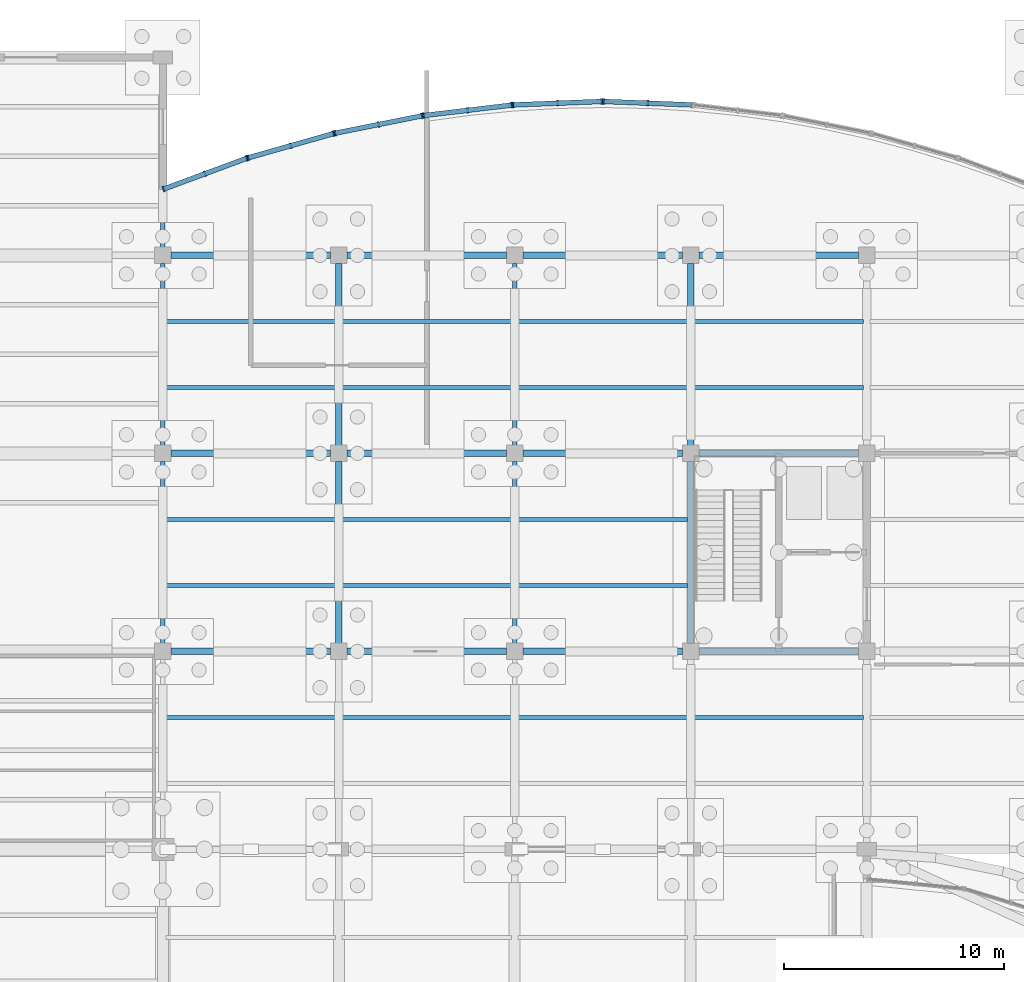
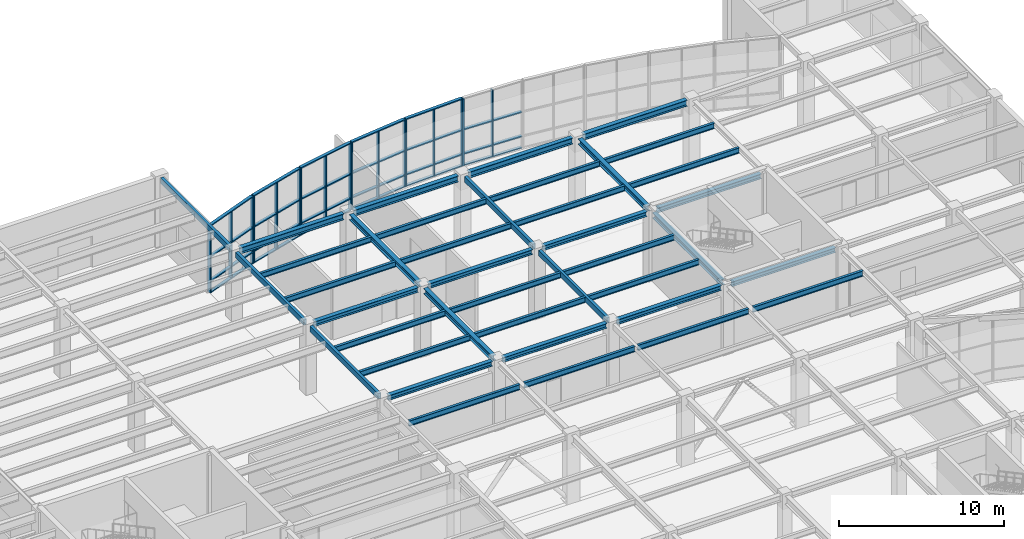
# One storey, part 49 of 85: 40 members, 39 beams, 6 elements without a shape of their own.
"""IFC4 building model written with IfcOpenShell, lengths in metres."""

from ifc_helpers import new_model, si_unit, direction, frame, origin, origin_2d, place, context, subcontext, project, spatial, rectangle, hollow_rectangle, i_section, extrude, material, layer, layer_set, material_profile, profile_set, type_object, element, aggregate, save


model = new_model("IFC4")

# Units and contexts
model_context = context("Model", 3, precision=1e-05, world=origin(), true_north=direction((0.0, 1.0)))
body_context = subcontext(model_context, "Body", "Model", "MODEL_VIEW")
ifc_project = project(units=[si_unit("LENGTHUNIT", "METRE"), si_unit("AREAUNIT", "SQUARE_METRE"), si_unit("VOLUMEUNIT", "CUBIC_METRE"), si_unit("PLANEANGLEUNIT", "RADIAN"), si_unit("MASSUNIT", "GRAM", prefix="KILO")], contexts=[model_context])

# Site, building, storey
site_placement = place(None, origin())
site = spatial("IfcSite", under=ifc_project, at=site_placement, CompositionType="ELEMENT")
building_placement = place(site_placement, origin())
building = spatial("IfcBuilding", under=site, at=building_placement, Name="Keelwater Ferry Terminal", CompositionType="ELEMENT")
storey_placement = place(building_placement, origin())
storey = spatial("IfcBuildingStorey", under=building, at=storey_placement, Name="L00", CompositionType="ELEMENT", Elevation=0.0)

# Curtain wall, members
ifc_material_1 = material(Name="Thermally broken unitised aluminium and triple glass", Category="aluminium")
ifc_layer = layer(ifc_material_1, 0.179931640625)
ifc_layer_set = layer_set([ifc_layer], Name="Thermally broken unitised aluminium and triple glass")
curtain_wall_type = type_object("IfcCurtainWallType", Name="CW-20 Unitised Curtain Wall 4015x4950", PredefinedType="USERDEFINED", material=ifc_layer_set)
curtain_wall_1_placement = place(storey_placement, origin())
curtain_wall_1 = element("IfcCurtainWall", 1, at=curtain_wall_1_placement, inside=storey, type_object=curtain_wall_type, Name="Unitised Curtain Wall CW-L00-177", ObjectType="UNITISED CURTAIN WALL", PredefinedType="USERDEFINED")
ifc_material_2 = material(Name="Aluminium mullion", Category="aluminium")
ifc_material_profile_1 = material_profile(ifc_material_2, rectangle(XDim=0.080078125, YDim=0.25, at=origin_2d()), Name="CWM-04")
ifc_profile_set_1 = profile_set([ifc_material_profile_1], Name="Aluminium mullion")
member_type_1 = type_object("IfcMemberType", Name="CWM-04 Curtain Mullion 80x250", PredefinedType="MULLION", material=ifc_profile_set_1)
member_1_placement = place(storey_placement, frame((154.051025390625, 123.9189453125, 0.0), z_axis=(0.0, 0.0, 1.0), x_axis=(-0.999225435626, 0.039351350652, 0.0)))
member_1 = element("IfcMember", 2, at=member_1_placement, type_object=member_type_1, Name="CW-L00-177 Mullion 2", PredefinedType="MULLION", context=body_context, shape_type="SweptSolid", body=[
    extrude(rectangle(XDim=0.080078125, YDim=0.25, at=origin_2d()), origin(), (0.0, 0.0, 1.0), 4.949951171875),
])
member_2_placement = place(storey_placement, frame((152.044921875, 123.998046875, 0.0), z_axis=(0.0, 0.0, 1.0), x_axis=(-0.999225435626, 0.039351350652, 0.0)))
member_2 = element("IfcMember", 3, at=member_2_placement, type_object=member_type_1, Name="CW-L00-177 Mullion 3", PredefinedType="MULLION", context=body_context, shape_type="SweptSolid", body=[
    extrude(rectangle(XDim=0.080078125, YDim=0.25, at=origin_2d()), origin(), (0.0, 0.0, 1.0), 4.949951171875),
])

curtain_wall_2_placement = place(storey_placement, origin())
curtain_wall_2 = element("IfcCurtainWall", 4, at=curtain_wall_2_placement, inside=storey, type_object=curtain_wall_type, Name="Unitised Curtain Wall CW-L00-178", ObjectType="UNITISED CURTAIN WALL", PredefinedType="USERDEFINED")
member_3_placement = place(storey_placement, frame((151.955078125, 123.998046875, 0.0), z_axis=(0.0, 0.0, 1.0), x_axis=(-0.999225435626, -0.039351350652, 0.0)))
member_3 = element("IfcMember", 5, at=member_3_placement, type_object=member_type_1, Name="CW-L00-178 Mullion 1", PredefinedType="MULLION", context=body_context, shape_type="SweptSolid", body=[
    extrude(rectangle(XDim=0.080078125, YDim=0.25, at=origin_2d()), origin(), (0.0, 0.0, 1.0), 4.949951171875),
])
member_4_placement = place(storey_placement, frame((149.948974609375, 123.9189453125, 0.0), z_axis=(0.0, 0.0, 1.0), x_axis=(-0.999225435626, -0.039351350652, 0.0)))
member_4 = element("IfcMember", 6, at=member_4_placement, type_object=member_type_1, Name="CW-L00-178 Mullion 2", PredefinedType="MULLION", context=body_context, shape_type="SweptSolid", body=[
    extrude(rectangle(XDim=0.080078125, YDim=0.25, at=origin_2d()), origin(), (0.0, 0.0, 1.0), 4.949951171875),
])
member_5_placement = place(storey_placement, frame((147.943115234375, 123.840087890625, 0.0), z_axis=(0.0, 0.0, 1.0), x_axis=(-0.999225435626, -0.039351350652, 0.0)))
member_5 = element("IfcMember", 7, at=member_5_placement, type_object=member_type_1, Name="CW-L00-178 Mullion 3", PredefinedType="MULLION", context=body_context, shape_type="SweptSolid", body=[
    extrude(rectangle(XDim=0.080078125, YDim=0.25, at=origin_2d()), origin(), (0.0, 0.0, 1.0), 4.949951171875),
])

curtain_wall_3_placement = place(storey_placement, origin())
curtain_wall_3 = element("IfcCurtainWall", 8, at=curtain_wall_3_placement, inside=storey, type_object=curtain_wall_type, Name="Unitised Curtain Wall CW-L00-179", ObjectType="UNITISED CURTAIN WALL", PredefinedType="USERDEFINED")
member_6_placement = place(storey_placement, frame((147.85302734375, 123.8330078125, 0.0), z_axis=(0.0, 0.0, 1.0), x_axis=(-0.992974342459, -0.118329857676, 0.0)))
member_6 = element("IfcMember", 9, at=member_6_placement, type_object=member_type_1, Name="CW-L00-179 Mullion 1", PredefinedType="MULLION", context=body_context, shape_type="SweptSolid", body=[
    extrude(rectangle(XDim=0.080078125, YDim=0.25, at=origin_2d()), origin(), (0.0, 0.0, 1.0), 4.949951171875),
])
member_7_placement = place(storey_placement, frame((145.860107421875, 123.595458984375, 0.0), z_axis=(0.0, 0.0, 1.0), x_axis=(-0.992974342459, -0.118329857676, 0.0)))
member_7 = element("IfcMember", 10, at=member_7_placement, type_object=member_type_1, Name="CW-L00-179 Mullion 2", PredefinedType="MULLION", context=body_context, shape_type="SweptSolid", body=[
    extrude(rectangle(XDim=0.080078125, YDim=0.25, at=origin_2d()), origin(), (0.0, 0.0, 1.0), 4.949951171875),
])
member_8_placement = place(storey_placement, frame((143.866943359375, 123.35791015625, 0.0), z_axis=(0.0, 0.0, 1.0), x_axis=(-0.992974342459, -0.118329857676, 0.0)))
member_8 = element("IfcMember", 11, at=member_8_placement, type_object=member_type_1, Name="CW-L00-179 Mullion 3", PredefinedType="MULLION", context=body_context, shape_type="SweptSolid", body=[
    extrude(rectangle(XDim=0.080078125, YDim=0.25, at=origin_2d()), origin(), (0.0, 0.0, 1.0), 4.949951171875),
])

curtain_wall_4_placement = place(storey_placement, origin())
curtain_wall_4 = element("IfcCurtainWall", 12, at=curtain_wall_4_placement, inside=storey, type_object=curtain_wall_type, Name="Unitised Curtain Wall CW-L00-180", ObjectType="UNITISED CURTAIN WALL", PredefinedType="USERDEFINED")
member_9_placement = place(storey_placement, frame((143.778076171875, 123.343994140625, 0.0), z_axis=(0.0, 0.0, 1.0), x_axis=(-0.98059983046, -0.196020336958, 0.0)))
member_9 = element("IfcMember", 13, at=member_9_placement, type_object=member_type_1, Name="CW-L00-180 Mullion 1", PredefinedType="MULLION", context=body_context, shape_type="SweptSolid", body=[
    extrude(rectangle(XDim=0.080078125, YDim=0.25, at=origin_2d()), origin(), (0.0, 0.0, 1.0), 4.949951171875),
])
member_10_placement = place(storey_placement, frame((141.8095703125, 122.950439453125, 0.0), z_axis=(0.0, 0.0, 1.0), x_axis=(-0.98059983046, -0.196020336958, 0.0)))
member_10 = element("IfcMember", 14, at=member_10_placement, type_object=member_type_1, Name="CW-L00-180 Mullion 2", PredefinedType="MULLION", context=body_context, shape_type="SweptSolid", body=[
    extrude(rectangle(XDim=0.080078125, YDim=0.25, at=origin_2d()), origin(), (0.0, 0.0, 1.0), 4.949951171875),
])
member_11_placement = place(storey_placement, frame((139.841064453125, 122.556884765625, 0.0), z_axis=(0.0, 0.0, 1.0), x_axis=(-0.98059983046, -0.196020336958, 0.0)))
member_11 = element("IfcMember", 15, at=member_11_placement, type_object=member_type_1, Name="CW-L00-180 Mullion 3", PredefinedType="MULLION", context=body_context, shape_type="SweptSolid", body=[
    extrude(rectangle(XDim=0.080078125, YDim=0.25, at=origin_2d()), origin(), (0.0, 0.0, 1.0), 4.949951171875),
])

curtain_wall_5_placement = place(storey_placement, origin())
curtain_wall_5 = element("IfcCurtainWall", 16, at=curtain_wall_5_placement, inside=storey, type_object=curtain_wall_type, Name="Unitised Curtain Wall CW-L00-181", ObjectType="UNITISED CURTAIN WALL", PredefinedType="USERDEFINED")
member_12_placement = place(storey_placement, frame((139.75390625, 122.535888671875, 0.0), z_axis=(0.0, 0.0, 1.0), x_axis=(-0.962029778706, -0.272944508797, 0.0)))
member_12 = element("IfcMember", 17, at=member_12_placement, type_object=member_type_1, Name="CW-L00-181 Mullion 1", PredefinedType="MULLION", context=body_context, shape_type="SweptSolid", body=[
    extrude(rectangle(XDim=0.080078125, YDim=0.25, at=origin_2d()), origin(), (0.0, 0.0, 1.0), 4.949951171875),
])
member_13_placement = place(storey_placement, frame((137.822509765625, 121.988037109375, 0.0), z_axis=(0.0, 0.0, 1.0), x_axis=(-0.962029778706, -0.272944508797, 0.0)))
member_13 = element("IfcMember", 18, at=member_13_placement, type_object=member_type_1, Name="CW-L00-181 Mullion 2", PredefinedType="MULLION", context=body_context, shape_type="SweptSolid", body=[
    extrude(rectangle(XDim=0.080078125, YDim=0.25, at=origin_2d()), origin(), (0.0, 0.0, 1.0), 4.949951171875),
])
member_14_placement = place(storey_placement, frame((135.89111328125, 121.43994140625, 0.0), z_axis=(0.0, 0.0, 1.0), x_axis=(-0.962029778706, -0.272944508797, 0.0)))
member_14 = element("IfcMember", 19, at=member_14_placement, type_object=member_type_1, Name="CW-L00-181 Mullion 3", PredefinedType="MULLION", context=body_context, shape_type="SweptSolid", body=[
    extrude(rectangle(XDim=0.080078125, YDim=0.25, at=origin_2d()), origin(), (0.0, 0.0, 1.0), 4.949951171875),
])

curtain_wall_6_placement = place(storey_placement, origin())
curtain_wall_6 = element("IfcCurtainWall", 20, at=curtain_wall_6_placement, inside=storey, type_object=curtain_wall_type, Name="Unitised Curtain Wall CW-L00-182", ObjectType="UNITISED CURTAIN WALL", PredefinedType="USERDEFINED")
member_15_placement = place(storey_placement, frame((135.805908203125, 121.412109375, 0.0), z_axis=(0.0, 0.0, 1.0), x_axis=(-0.937592418253, -0.347736189136, 0.0)))
member_15 = element("IfcMember", 21, at=member_15_placement, type_object=member_type_1, Name="CW-L00-182 Mullion 1", PredefinedType="MULLION", context=body_context, shape_type="SweptSolid", body=[
    extrude(rectangle(XDim=0.080078125, YDim=0.25, at=origin_2d()), origin(), (0.0, 0.0, 1.0), 4.949951171875),
])
member_16_placement = place(storey_placement, frame((133.924072265625, 120.714111328125, 0.0), z_axis=(0.0, 0.0, 1.0), x_axis=(-0.937592418253, -0.347736189136, 0.0)))
member_16 = element("IfcMember", 22, at=member_16_placement, type_object=member_type_1, Name="CW-L00-182 Mullion 2", PredefinedType="MULLION", context=body_context, shape_type="SweptSolid", body=[
    extrude(rectangle(XDim=0.080078125, YDim=0.25, at=origin_2d()), origin(), (0.0, 0.0, 1.0), 4.949951171875),
])
member_17_placement = place(storey_placement, frame((132.0419921875, 120.01611328125, 0.0), z_axis=(0.0, 0.0, 1.0), x_axis=(-0.937592418253, -0.347736189136, 0.0)))
member_17 = element("IfcMember", 23, at=member_17_placement, type_object=member_type_1, Name="CW-L00-182 Mullion 3", PredefinedType="MULLION", context=body_context, shape_type="SweptSolid", body=[
    extrude(rectangle(XDim=0.080078125, YDim=0.25, at=origin_2d()), origin(), (0.0, 0.0, 1.0), 4.949951171875),
])

# Member
ifc_material_3 = material(Name="Aluminium mullion", Category="aluminium")
ifc_material_profile_2 = material_profile(ifc_material_3, rectangle(XDim=0.219970703125, YDim=0.080078125, at=origin_2d()), Name="CWT-04")
ifc_profile_set_2 = profile_set([ifc_material_profile_2], Name="Aluminium mullion")
member_type_2 = type_object("IfcMemberType", Name="CWT-04 Curtain Transom 80x220", PredefinedType="USERDEFINED", material=ifc_profile_set_2)
member_18_placement = place(storey_placement, frame((156.056884765625, 123.840087890625, 0.0), z_axis=(-0.999225822944, 0.03934151448, 0.0), x_axis=(-0.03934151448, -0.999225822944, 0.0)))
member_18 = element("IfcMember", 24, at=member_18_placement, type_object=member_type_2, Name="CW-L00-177 Transom 1", ObjectType="TRANSOM", PredefinedType="USERDEFINED", context=body_context, shape_type="SweptSolid", body=[
    extrude(rectangle(XDim=0.219970703125, YDim=0.080078125, at=origin_2d()), origin(), (0.0, 0.0, 1.0), 4.01513671875),
])

member_19_placement = place(storey_placement, frame((156.056884765625, 123.840087890625, 0.85009765625), z_axis=(-0.999225822944, 0.03934151448, 0.0), x_axis=(-0.03934151448, -0.999225822944, 0.0)))
member_19 = element("IfcMember", 25, at=member_19_placement, type_object=member_type_2, Name="CW-L00-177 Transom 2", ObjectType="TRANSOM", PredefinedType="USERDEFINED", context=body_context, shape_type="SweptSolid", body=[
    extrude(rectangle(XDim=0.219970703125, YDim=0.080078125, at=origin_2d()), origin(), (0.0, 0.0, 1.0), 4.01513671875),
])

member_20_placement = place(storey_placement, frame((156.056884765625, 123.840087890625, 2.64990234375), z_axis=(-0.999225822944, 0.03934151448, 0.0), x_axis=(-0.03934151448, -0.999225822944, 0.0)))
member_20 = element("IfcMember", 26, at=member_20_placement, type_object=member_type_2, Name="CW-L00-177 Transom 3", ObjectType="TRANSOM", PredefinedType="USERDEFINED", context=body_context, shape_type="SweptSolid", body=[
    extrude(rectangle(XDim=0.219970703125, YDim=0.080078125, at=origin_2d()), origin(), (0.0, 0.0, 1.0), 4.01513671875),
])

aggregate(curtain_wall_1, [member_1, member_2, member_18, member_19, member_20])

member_21_placement = place(storey_placement, frame((151.955078125, 123.998046875, 0.0), z_axis=(-0.999225822944, -0.03934151448, 0.0), x_axis=(0.03934151448, -0.999225822944, 0.0)))
member_21 = element("IfcMember", 27, at=member_21_placement, type_object=member_type_2, Name="CW-L00-178 Transom 1", ObjectType="TRANSOM", PredefinedType="USERDEFINED", context=body_context, shape_type="SweptSolid", body=[
    extrude(rectangle(XDim=0.219970703125, YDim=0.080078125, at=origin_2d()), origin(), (0.0, 0.0, 1.0), 4.01513671875),
])

member_22_placement = place(storey_placement, frame((151.955078125, 123.998046875, 0.85009765625), z_axis=(-0.999225822944, -0.03934151448, 0.0), x_axis=(0.03934151448, -0.999225822944, 0.0)))
member_22 = element("IfcMember", 28, at=member_22_placement, type_object=member_type_2, Name="CW-L00-178 Transom 2", ObjectType="TRANSOM", PredefinedType="USERDEFINED", context=body_context, shape_type="SweptSolid", body=[
    extrude(rectangle(XDim=0.219970703125, YDim=0.080078125, at=origin_2d()), origin(), (0.0, 0.0, 1.0), 4.01513671875),
])

member_23_placement = place(storey_placement, frame((151.955078125, 123.998046875, 2.64990234375), z_axis=(-0.999225822944, -0.03934151448, 0.0), x_axis=(0.03934151448, -0.999225822944, 0.0)))
member_23 = element("IfcMember", 29, at=member_23_placement, type_object=member_type_2, Name="CW-L00-178 Transom 3", ObjectType="TRANSOM", PredefinedType="USERDEFINED", context=body_context, shape_type="SweptSolid", body=[
    extrude(rectangle(XDim=0.219970703125, YDim=0.080078125, at=origin_2d()), origin(), (0.0, 0.0, 1.0), 4.01513671875),
])

member_24_placement = place(storey_placement, frame((151.955078125, 123.998046875, 4.949951171875), z_axis=(-0.999225822944, -0.03934151448, 0.0), x_axis=(0.03934151448, -0.999225822944, 0.0)))
member_24 = element("IfcMember", 30, at=member_24_placement, type_object=member_type_2, Name="CW-L00-178 Transom 4", ObjectType="TRANSOM", PredefinedType="USERDEFINED", context=body_context, shape_type="SweptSolid", body=[
    extrude(rectangle(XDim=0.219970703125, YDim=0.080078125, at=origin_2d()), origin(), (0.0, 0.0, 1.0), 4.01513671875),
])

aggregate(curtain_wall_2, [member_3, member_4, member_5, member_21, member_22, member_23, member_24])

member_25_placement = place(storey_placement, frame((147.85302734375, 123.8330078125, 0.0), z_axis=(-0.992971776767, -0.1183513859, 0.0), x_axis=(0.1183513859, -0.992971776767, 0.0)))
member_25 = element("IfcMember", 31, at=member_25_placement, type_object=member_type_2, Name="CW-L00-179 Transom 1", ObjectType="TRANSOM", PredefinedType="USERDEFINED", context=body_context, shape_type="SweptSolid", body=[
    extrude(rectangle(XDim=0.219970703125, YDim=0.080078125, at=origin_2d()), origin(), (0.0, 0.0, 1.0), 4.014404296875),
])

member_26_placement = place(storey_placement, frame((147.85302734375, 123.8330078125, 0.85009765625), z_axis=(-0.992971776767, -0.1183513859, 0.0), x_axis=(0.1183513859, -0.992971776767, 0.0)))
member_26 = element("IfcMember", 32, at=member_26_placement, type_object=member_type_2, Name="CW-L00-179 Transom 2", ObjectType="TRANSOM", PredefinedType="USERDEFINED", context=body_context, shape_type="SweptSolid", body=[
    extrude(rectangle(XDim=0.219970703125, YDim=0.080078125, at=origin_2d()), origin(), (0.0, 0.0, 1.0), 4.014404296875),
])

member_27_placement = place(storey_placement, frame((147.85302734375, 123.8330078125, 2.64990234375), z_axis=(-0.992971776767, -0.1183513859, 0.0), x_axis=(0.1183513859, -0.992971776767, 0.0)))
member_27 = element("IfcMember", 33, at=member_27_placement, type_object=member_type_2, Name="CW-L00-179 Transom 3", ObjectType="TRANSOM", PredefinedType="USERDEFINED", context=body_context, shape_type="SweptSolid", body=[
    extrude(rectangle(XDim=0.219970703125, YDim=0.080078125, at=origin_2d()), origin(), (0.0, 0.0, 1.0), 4.014404296875),
])

member_28_placement = place(storey_placement, frame((147.85302734375, 123.8330078125, 4.949951171875), z_axis=(-0.992971776767, -0.1183513859, 0.0), x_axis=(0.1183513859, -0.992971776767, 0.0)))
member_28 = element("IfcMember", 34, at=member_28_placement, type_object=member_type_2, Name="CW-L00-179 Transom 4", ObjectType="TRANSOM", PredefinedType="USERDEFINED", context=body_context, shape_type="SweptSolid", body=[
    extrude(rectangle(XDim=0.219970703125, YDim=0.080078125, at=origin_2d()), origin(), (0.0, 0.0, 1.0), 4.014404296875),
])

aggregate(curtain_wall_3, [member_6, member_7, member_8, member_25, member_26, member_27, member_28])

member_29_placement = place(storey_placement, frame((143.778076171875, 123.343994140625, 0.0), z_axis=(-0.980594705866, -0.196045971209, 0.0), x_axis=(0.196045971209, -0.980594705866, 0.0)))
member_29 = element("IfcMember", 35, at=member_29_placement, type_object=member_type_2, Name="CW-L00-180 Transom 1", ObjectType="TRANSOM", PredefinedType="USERDEFINED", context=body_context, shape_type="SweptSolid", body=[
    extrude(rectangle(XDim=0.219970703125, YDim=0.080078125, at=origin_2d()), origin(), (0.0, 0.0, 1.0), 4.014892578125),
])

member_30_placement = place(storey_placement, frame((143.778076171875, 123.343994140625, 0.85009765625), z_axis=(-0.980594705866, -0.196045971209, 0.0), x_axis=(0.196045971209, -0.980594705866, 0.0)))
member_30 = element("IfcMember", 36, at=member_30_placement, type_object=member_type_2, Name="CW-L00-180 Transom 2", ObjectType="TRANSOM", PredefinedType="USERDEFINED", context=body_context, shape_type="SweptSolid", body=[
    extrude(rectangle(XDim=0.219970703125, YDim=0.080078125, at=origin_2d()), origin(), (0.0, 0.0, 1.0), 4.014892578125),
])

member_31_placement = place(storey_placement, frame((143.778076171875, 123.343994140625, 2.64990234375), z_axis=(-0.980594705866, -0.196045971209, 0.0), x_axis=(0.196045971209, -0.980594705866, 0.0)))
member_31 = element("IfcMember", 37, at=member_31_placement, type_object=member_type_2, Name="CW-L00-180 Transom 3", ObjectType="TRANSOM", PredefinedType="USERDEFINED", context=body_context, shape_type="SweptSolid", body=[
    extrude(rectangle(XDim=0.219970703125, YDim=0.080078125, at=origin_2d()), origin(), (0.0, 0.0, 1.0), 4.014892578125),
])

member_32_placement = place(storey_placement, frame((143.778076171875, 123.343994140625, 4.949951171875), z_axis=(-0.980594705866, -0.196045971209, 0.0), x_axis=(0.196045971209, -0.980594705866, 0.0)))
member_32 = element("IfcMember", 38, at=member_32_placement, type_object=member_type_2, Name="CW-L00-180 Transom 4", ObjectType="TRANSOM", PredefinedType="USERDEFINED", context=body_context, shape_type="SweptSolid", body=[
    extrude(rectangle(XDim=0.219970703125, YDim=0.080078125, at=origin_2d()), origin(), (0.0, 0.0, 1.0), 4.014892578125),
])

aggregate(curtain_wall_4, [member_9, member_10, member_11, member_29, member_30, member_31, member_32])

member_33_placement = place(storey_placement, frame((139.75390625, 122.535888671875, 0.0), z_axis=(-0.962029386072, -0.272945892686, 0.0), x_axis=(0.272945892686, -0.962029386072, 0.0)))
member_33 = element("IfcMember", 39, at=member_33_placement, type_object=member_type_2, Name="CW-L00-181 Transom 1", ObjectType="TRANSOM", PredefinedType="USERDEFINED", context=body_context, shape_type="SweptSolid", body=[
    extrude(rectangle(XDim=0.219970703125, YDim=0.080078125, at=origin_2d()), origin(), (0.0, 0.0, 1.0), 4.01513671875),
])

member_34_placement = place(storey_placement, frame((139.75390625, 122.535888671875, 0.85009765625), z_axis=(-0.962029386072, -0.272945892686, 0.0), x_axis=(0.272945892686, -0.962029386072, 0.0)))
member_34 = element("IfcMember", 40, at=member_34_placement, type_object=member_type_2, Name="CW-L00-181 Transom 2", ObjectType="TRANSOM", PredefinedType="USERDEFINED", context=body_context, shape_type="SweptSolid", body=[
    extrude(rectangle(XDim=0.219970703125, YDim=0.080078125, at=origin_2d()), origin(), (0.0, 0.0, 1.0), 4.01513671875),
])

member_35_placement = place(storey_placement, frame((139.75390625, 122.535888671875, 2.64990234375), z_axis=(-0.962029386072, -0.272945892686, 0.0), x_axis=(0.272945892686, -0.962029386072, 0.0)))
member_35 = element("IfcMember", 41, at=member_35_placement, type_object=member_type_2, Name="CW-L00-181 Transom 3", ObjectType="TRANSOM", PredefinedType="USERDEFINED", context=body_context, shape_type="SweptSolid", body=[
    extrude(rectangle(XDim=0.219970703125, YDim=0.080078125, at=origin_2d()), origin(), (0.0, 0.0, 1.0), 4.01513671875),
])

member_36_placement = place(storey_placement, frame((139.75390625, 122.535888671875, 4.949951171875), z_axis=(-0.962029386072, -0.272945892686, 0.0), x_axis=(0.272945892686, -0.962029386072, 0.0)))
member_36 = element("IfcMember", 42, at=member_36_placement, type_object=member_type_2, Name="CW-L00-181 Transom 4", ObjectType="TRANSOM", PredefinedType="USERDEFINED", context=body_context, shape_type="SweptSolid", body=[
    extrude(rectangle(XDim=0.219970703125, YDim=0.080078125, at=origin_2d()), origin(), (0.0, 0.0, 1.0), 4.01513671875),
])

aggregate(curtain_wall_5, [member_12, member_13, member_14, member_33, member_34, member_35, member_36])

member_37_placement = place(storey_placement, frame((135.805908203125, 121.412109375, 0.0), z_axis=(-0.937590205769, -0.347742154543, 0.0), x_axis=(0.347742154543, -0.937590205769, 0.0)))
member_37 = element("IfcMember", 43, at=member_37_placement, type_object=member_type_2, Name="CW-L00-182 Transom 1", ObjectType="TRANSOM", PredefinedType="USERDEFINED", context=body_context, shape_type="SweptSolid", body=[
    extrude(rectangle(XDim=0.219970703125, YDim=0.080078125, at=origin_2d()), origin(), (0.0, 0.0, 1.0), 4.014404296875),
])

member_38_placement = place(storey_placement, frame((135.805908203125, 121.412109375, 0.85009765625), z_axis=(-0.937590205769, -0.347742154543, 0.0), x_axis=(0.347742154543, -0.937590205769, 0.0)))
member_38 = element("IfcMember", 44, at=member_38_placement, type_object=member_type_2, Name="CW-L00-182 Transom 2", ObjectType="TRANSOM", PredefinedType="USERDEFINED", context=body_context, shape_type="SweptSolid", body=[
    extrude(rectangle(XDim=0.219970703125, YDim=0.080078125, at=origin_2d()), origin(), (0.0, 0.0, 1.0), 4.014404296875),
])

member_39_placement = place(storey_placement, frame((135.805908203125, 121.412109375, 2.64990234375), z_axis=(-0.937590205769, -0.347742154543, 0.0), x_axis=(0.347742154543, -0.937590205769, 0.0)))
member_39 = element("IfcMember", 45, at=member_39_placement, type_object=member_type_2, Name="CW-L00-182 Transom 3", ObjectType="TRANSOM", PredefinedType="USERDEFINED", context=body_context, shape_type="SweptSolid", body=[
    extrude(rectangle(XDim=0.219970703125, YDim=0.080078125, at=origin_2d()), origin(), (0.0, 0.0, 1.0), 4.014404296875),
])

member_40_placement = place(storey_placement, frame((135.805908203125, 121.412109375, 4.949951171875), z_axis=(-0.937590205769, -0.347742154543, 0.0), x_axis=(0.347742154543, -0.937590205769, 0.0)))
member_40 = element("IfcMember", 46, at=member_40_placement, type_object=member_type_2, Name="CW-L00-182 Transom 4", ObjectType="TRANSOM", PredefinedType="USERDEFINED", context=body_context, shape_type="SweptSolid", body=[
    extrude(rectangle(XDim=0.219970703125, YDim=0.080078125, at=origin_2d()), origin(), (0.0, 0.0, 1.0), 4.014404296875),
])

aggregate(curtain_wall_6, [member_15, member_16, member_17, member_37, member_38, member_39, member_40])

# Beams
ifc_material_4 = material(Name="Steel S355", Category="steel")
ifc_material_profile_3 = material_profile(ifc_material_4, i_section(OverallWidth=0.300048828125, OverallDepth=0.449951171875, WebThickness=0.013916015625, FlangeThickness=0.02587890625, at=origin_2d()), Name="HEB 450")
ifc_profile_set_3 = profile_set([ifc_material_profile_3], Name="Steel S355")
beam_type_1 = type_object("IfcBeamType", Name="G6 HEB 450", PredefinedType="BEAM", material=ifc_profile_set_3)
for number, where, z_axis, x_axis, name in (
    (47, (132.367919921875, 117.0, 4.8349609375), (1.0, 0.0, 0.0), (0.0, 1.0, 0.0), "Beam BM-L00-0140"),
    (48, (140.367919921875, 117.0, 4.8349609375), (1.0, 0.0, 0.0), (0.0, 1.0, 0.0), "Beam BM-L00-0141"),
    (49, (148.367919921875, 117.0, 4.8349609375), (1.0, 0.0, 0.0), (0.0, 1.0, 0.0), "Beam BM-L00-0142"),
    (50, (156.367919921875, 117.0, 4.8349609375), (1.0, 0.0, 0.0), (0.0, 1.0, 0.0), "Beam BM-L00-0143"),
):
    element("IfcBeam", number, at=place(storey_placement, frame(where, z_axis=z_axis, x_axis=x_axis)), inside=storey, type_object=beam_type_1, Name=name, PredefinedType="BEAM", context=body_context, shape_type="SweptSolid", body=[
        extrude(i_section(OverallWidth=0.300048828125, OverallDepth=0.449951171875, WebThickness=0.013916015625, FlangeThickness=0.02587890625, at=origin_2d()), origin(), (0.0, 0.0, 1.0), 7.26416015625),
    ])
ifc_material_5 = material(Name="Steel S355", Category="steel")
ifc_material_profile_4 = material_profile(ifc_material_5, i_section(OverallWidth=0.300048828125, OverallDepth=0.39990234375, WebThickness=0.013427734375, FlangeThickness=0.02392578125, at=origin_2d()), Name="HEB 400")
ifc_profile_set_4 = profile_set([ifc_material_profile_4], Name="Steel S355")
beam_type_2 = type_object("IfcBeamType", Name="G7 HEB 400", PredefinedType="BEAM", material=ifc_profile_set_4)
for number, where, z_axis, x_axis, name in (
    (51, (140.0, 99.367919921875, 4.860107421875), (0.0, 1.0, 0.0), (-1.0, 0.0, 0.0), "Beam BM-L00-0265"),
    (52, (140.0, 108.367919921875, 4.860107421875), (0.0, 1.0, 0.0), (-1.0, 0.0, 0.0), "Beam BM-L00-0266"),
    (53, (156.0, 99.367919921875, 4.860107421875), (0.0, 1.0, 0.0), (-1.0, 0.0, 0.0), "Beam BM-L00-0283"),
    (54, (156.0, 108.367919921875, 4.860107421875), (0.0, 1.0, 0.0), (-1.0, 0.0, 0.0), "Beam BM-L00-0284"),
):
    element("IfcBeam", number, at=place(storey_placement, frame(where, z_axis=z_axis, x_axis=x_axis)), inside=storey, type_object=beam_type_2, Name=name, PredefinedType="BEAM", context=body_context, shape_type="SweptSolid", body=[
        extrude(i_section(OverallWidth=0.300048828125, OverallDepth=0.39990234375, WebThickness=0.013427734375, FlangeThickness=0.02392578125, at=origin_2d()), origin(), (0.0, 0.0, 1.0), 8.26416015625),
    ])
ifc_material_6 = material(Name="Steel S355", Category="steel")
ifc_material_profile_5 = material_profile(ifc_material_6, i_section(OverallWidth=0.179931640625, OverallDepth=0.39990234375, WebThickness=0.008544921875, FlangeThickness=0.013427734375, at=origin_2d()), Name="IPE 400")
ifc_profile_set_5 = profile_set([ifc_material_profile_5], Name="Steel S355")
beam_type_3 = type_object("IfcBeamType", Name="J5 IPE 400", PredefinedType="JOIST", material=ifc_profile_set_5)
for number, where, z_axis, x_axis, name in (
    (55, (132.10009765625, 96.0, 4.860107421875), (1.0, 0.0, 0.0), (0.0, 1.0, 0.0), "Beam BM-L00-0518"),
    (56, (132.10009765625, 102.0, 4.860107421875), (1.0, 0.0, 0.0), (0.0, 1.0, 0.0), "Beam BM-L00-0519"),
    (57, (132.10009765625, 105.0, 4.860107421875), (1.0, 0.0, 0.0), (0.0, 1.0, 0.0), "Beam BM-L00-0520"),
    (58, (132.10009765625, 111.0, 4.860107421875), (1.0, 0.0, 0.0), (0.0, 1.0, 0.0), "Beam BM-L00-0521"),
    (59, (132.10009765625, 114.0, 4.860107421875), (1.0, 0.0, 0.0), (0.0, 1.0, 0.0), "Beam BM-L00-0522"),
    (60, (140.14990234375, 96.0, 4.860107421875), (1.0, 0.0, 0.0), (0.0, 1.0, 0.0), "Beam BM-L00-0538"),
    (61, (140.14990234375, 102.0, 4.860107421875), (1.0, 0.0, 0.0), (0.0, 1.0, 0.0), "Beam BM-L00-0539"),
    (62, (140.14990234375, 105.0, 4.860107421875), (1.0, 0.0, 0.0), (0.0, 1.0, 0.0), "Beam BM-L00-0540"),
    (63, (140.14990234375, 111.0, 4.860107421875), (1.0, 0.0, 0.0), (0.0, 1.0, 0.0), "Beam BM-L00-0541"),
    (64, (140.14990234375, 114.0, 4.860107421875), (1.0, 0.0, 0.0), (0.0, 1.0, 0.0), "Beam BM-L00-0542"),
    (65, (148.10009765625, 96.0, 4.860107421875), (1.0, 0.0, 0.0), (0.0, 1.0, 0.0), "Beam BM-L00-0548"),
    (66, (148.10009765625, 102.0, 4.860107421875), (1.0, 0.0, 0.0), (0.0, 1.0, 0.0), "Beam BM-L00-0549"),
    (67, (148.10009765625, 105.0, 4.860107421875), (1.0, 0.0, 0.0), (0.0, 1.0, 0.0), "Beam BM-L00-0550"),
    (68, (148.10009765625, 111.0, 4.860107421875), (1.0, 0.0, 0.0), (0.0, 1.0, 0.0), "Beam BM-L00-0551"),
    (69, (148.10009765625, 114.0, 4.860107421875), (1.0, 0.0, 0.0), (0.0, 1.0, 0.0), "Beam BM-L00-0552"),
):
    element("IfcBeam", number, at=place(storey_placement, frame(where, z_axis=z_axis, x_axis=x_axis)), inside=storey, type_object=beam_type_3, Name=name, PredefinedType="JOIST", context=body_context, shape_type="SweptSolid", body=[
        extrude(i_section(OverallWidth=0.179931640625, OverallDepth=0.39990234375, WebThickness=0.008544921875, FlangeThickness=0.013427734375, at=origin_2d()), origin(), (0.0, 0.0, 1.0), 7.75),
    ])
for number, where, z_axis, x_axis, name in (
    (70, (156.14990234375, 96.0, 4.860107421875), (1.0, 0.0, 0.0), (0.0, 1.0, 0.0), "Beam BM-L00-0560"),
    (71, (156.14990234375, 111.0, 4.860107421875), (1.0, 0.0, 0.0), (0.0, 1.0, 0.0), "Beam BM-L00-0561"),
    (72, (156.14990234375, 114.0, 4.860107421875), (1.0, 0.0, 0.0), (0.0, 1.0, 0.0), "Beam BM-L00-0562"),
):
    element("IfcBeam", number, at=place(storey_placement, frame(where, z_axis=z_axis, x_axis=x_axis)), inside=storey, type_object=beam_type_3, Name=name, PredefinedType="JOIST", context=body_context, shape_type="SweptSolid", body=[
        extrude(i_section(OverallWidth=0.179931640625, OverallDepth=0.39990234375, WebThickness=0.008544921875, FlangeThickness=0.013427734375, at=origin_2d()), origin(), (0.0, 0.0, 1.0), 7.7001953125),
    ])
ifc_material_7 = material(Name="Steel S355", Category="steel")
ifc_material_profile_6 = material_profile(ifc_material_7, i_section(OverallWidth=0.300048828125, OverallDepth=0.35009765625, WebThickness=0.010009765625, FlangeThickness=0.017578125, at=origin_2d()), Name="HEA 360")
ifc_profile_set_6 = profile_set([ifc_material_profile_6], Name="Steel S355")
beam_type_4 = type_object("IfcBeamType", Name="SP1E HEA 360", PredefinedType="SPANDREL", material=ifc_profile_set_6)
for number, where, z_axis, x_axis, name in (
    (73, (132.367919921875, 99.0, 4.885009765625), (1.0, 0.0, 0.0), (0.0, 1.0, 0.0), "Beam BM-L00-0111"),
    (74, (140.367919921875, 99.0, 4.885009765625), (1.0, 0.0, 0.0), (0.0, 1.0, 0.0), "Beam BM-L00-0112"),
    (75, (148.367919921875, 99.0, 4.885009765625), (1.0, 0.0, 0.0), (0.0, 1.0, 0.0), "Beam BM-L00-0113"),
    (76, (156.367919921875, 99.0, 4.885009765625), (1.0, 0.0, 0.0), (0.0, 1.0, 0.0), "Beam BM-L00-0114"),
    (77, (132.367919921875, 108.0, 4.885009765625), (1.0, 0.0, 0.0), (0.0, 1.0, 0.0), "Beam BM-L00-0127"),
    (78, (140.367919921875, 108.0, 4.885009765625), (1.0, 0.0, 0.0), (0.0, 1.0, 0.0), "Beam BM-L00-0128"),
    (79, (148.367919921875, 108.0, 4.885009765625), (1.0, 0.0, 0.0), (0.0, 1.0, 0.0), "Beam BM-L00-0129"),
    (80, (156.367919921875, 108.0, 4.885009765625), (1.0, 0.0, 0.0), (0.0, 1.0, 0.0), "Beam BM-L00-0130"),
):
    element("IfcBeam", number, at=place(storey_placement, frame(where, z_axis=z_axis, x_axis=x_axis)), inside=storey, type_object=beam_type_4, Name=name, PredefinedType="SPANDREL", context=body_context, shape_type="SweptSolid", body=[
        extrude(i_section(OverallWidth=0.300048828125, OverallDepth=0.35009765625, WebThickness=0.010009765625, FlangeThickness=0.017578125, at=origin_2d()), origin(), (0.0, 0.0, 1.0), 7.26416015625),
    ])
ifc_material_8 = material(Name="Steel S355", Category="steel")
ifc_material_profile_7 = material_profile(ifc_material_8, hollow_rectangle(XDim=0.199951171875, YDim=0.39990234375, WallThickness=0.01611328125, at=origin_2d()), Name="RHS 400x200x16")
ifc_profile_set_7 = profile_set([ifc_material_profile_7], Name="Steel S355")
beam_type_5 = type_object("IfcBeamType", Name="SP3E RHS 400x200x16", PredefinedType="SPANDREL", material=ifc_profile_set_7)
for number, where, z_axis, x_axis, name in (
    (81, (132.0, 99.367919921875, 4.860107421875), (0.0, 1.0, 0.0), (-1.0, 0.0, 0.0), "Beam BM-L00-0253"),
    (82, (132.0, 108.367919921875, 4.860107421875), (0.0, 1.0, 0.0), (-1.0, 0.0, 0.0), "Beam BM-L00-0254"),
):
    element("IfcBeam", number, at=place(storey_placement, frame(where, z_axis=z_axis, x_axis=x_axis)), inside=storey, type_object=beam_type_5, Name=name, PredefinedType="SPANDREL", context=body_context, shape_type="SweptSolid", body=[
        extrude(hollow_rectangle(XDim=0.199951171875, YDim=0.39990234375, WallThickness=0.01611328125, at=origin_2d()), origin(), (0.0, 0.0, 1.0), 8.26416015625),
    ])
beam_placement = place(storey_placement, frame((132.0, 117.367919921875, 4.860107421875), z_axis=(0.0, 1.0, 0.0), x_axis=(-1.0, 0.0, 0.0)))
element("IfcBeam", 83, at=beam_placement, inside=storey, type_object=beam_type_5, Name="Beam BM-L00-0255", PredefinedType="SPANDREL", context=body_context, shape_type="SweptSolid", body=[
    extrude(hollow_rectangle(XDim=0.199951171875, YDim=0.39990234375, WallThickness=0.01611328125, at=origin_2d()), origin(), (0.0, 0.0, 1.0), 8.338134765625),
])
for number, where, z_axis, x_axis, name in (
    (84, (148.0, 99.367919921875, 4.860107421875), (0.0, 1.0, 0.0), (-1.0, 0.0, 0.0), "Beam BM-L00-0276"),
    (85, (148.0, 108.367919921875, 4.860107421875), (0.0, 1.0, 0.0), (-1.0, 0.0, 0.0), "Beam BM-L00-0277"),
):
    element("IfcBeam", number, at=place(storey_placement, frame(where, z_axis=z_axis, x_axis=x_axis)), inside=storey, type_object=beam_type_5, Name=name, PredefinedType="SPANDREL", context=body_context, shape_type="SweptSolid", body=[
        extrude(hollow_rectangle(XDim=0.199951171875, YDim=0.39990234375, WallThickness=0.01611328125, at=origin_2d()), origin(), (0.0, 0.0, 1.0), 8.26416015625),
    ])

save(model, "model.ifc")
